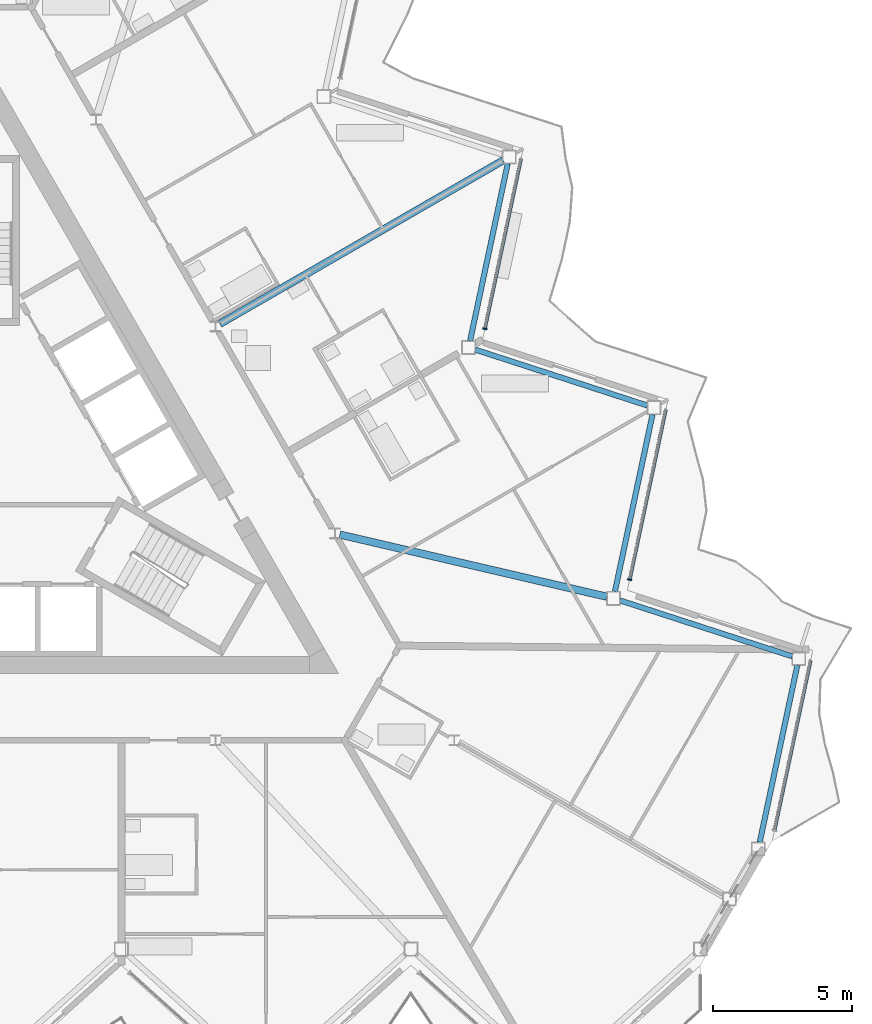
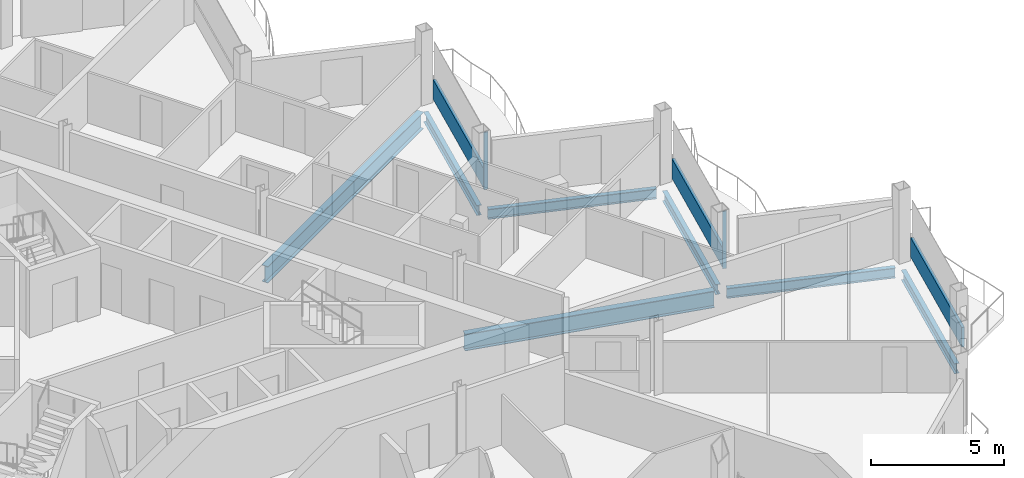
# One storey, part 8 of 26: 7 beams, 5 members, 3 elements without a shape of their own.
"""IFC4 building model written with IfcOpenShell, lengths in metres."""

from ifc_helpers import new_model, si_unit, direction, frame, origin, origin_2d, place, context, subcontext, project, spatial, rectangle, i_section, extrude, material, layer, layer_set, material_profile, profile_set, type_object, element, aggregate, save


model = new_model("IFC4")

# Units and contexts
model_context = context("Model", 3, precision=1e-05, world=origin(), true_north=direction((0.0, 1.0)))
body_context = subcontext(model_context, "Body", "Model", "MODEL_VIEW")
ifc_project = project(units=[si_unit("LENGTHUNIT", "METRE"), si_unit("AREAUNIT", "SQUARE_METRE"), si_unit("VOLUMEUNIT", "CUBIC_METRE"), si_unit("PLANEANGLEUNIT", "RADIAN"), si_unit("MASSUNIT", "GRAM", prefix="KILO")], contexts=[model_context])

# Site, building, storey
site_placement = place(None, origin())
site = spatial("IfcSite", under=ifc_project, at=site_placement, CompositionType="ELEMENT")
building_placement = place(site_placement, origin())
building = spatial("IfcBuilding", under=site, at=building_placement, Name="Cormorant Prow Tower", CompositionType="ELEMENT")
storey_placement = place(building_placement, frame((0.0, 0.0, 378.0)))
storey = spatial("IfcBuildingStorey", under=building, at=storey_placement, Name="L85", CompositionType="ELEMENT", Elevation=378.0)

# Beams
ifc_material_1 = material(Name="Structural steel ASTM A992 Gr 50", Category="steel")
ifc_material_profile_1 = material_profile(ifc_material_1, i_section(OverallWidth=0.267822265625, OverallDepth=0.77001953125, WebThickness=0.015625, FlangeThickness=0.025390625, at=origin_2d()), Name="W30x132")
ifc_profile_set_1 = profile_set([ifc_material_profile_1], Name="Structural steel ASTM A992 Gr 50")
beam_type_1 = type_object("IfcBeamType", Name="Radial floor beam W30x132", PredefinedType="BEAM", material=ifc_profile_set_1)
beam_1_placement = place(storey_placement, frame((13.0498046875, -2.518798828125, -0.68505859375), z_axis=(0.973926084128, -0.226865560752, 0.0), x_axis=(0.226865560752, 0.973926084128, 0.0)))
element("IfcBeam", 1, at=beam_1_placement, inside=storey, type_object=beam_type_1, Name="Radial floor beam FB3 10 L85", PredefinedType="BEAM", context=body_context, shape_type="SweptSolid", body=[
    extrude(i_section(OverallWidth=0.267822265625, OverallDepth=0.77001953125, WebThickness=0.015625, FlangeThickness=0.025390625, at=origin_2d()), origin(), (0.0, 0.0, 1.0), 9.837158203125),
])
beam_2_placement = place(storey_placement, frame((8.740478515625, 5.04638671875, -0.68505859375), z_axis=(0.866026702285, 0.499997750924, 0.0), x_axis=(-0.499997750924, 0.866026702285, 0.0)))
element("IfcBeam", 2, at=beam_2_placement, inside=storey, type_object=beam_type_1, Name="Radial floor beam FB3 11 L85", PredefinedType="BEAM", context=body_context, shape_type="SweptSolid", body=[
    extrude(i_section(OverallWidth=0.267822265625, OverallDepth=0.77001953125, WebThickness=0.015625, FlangeThickness=0.025390625, at=origin_2d()), origin(), (0.0, 0.0, 1.0), 11.7451171875),
])

# Curtain wall, member
ifc_material_2 = material(Name="Aluminium 6063-T6", Category="aluminium")
ifc_layer = layer(ifc_material_2, 0.159912109375)
ifc_layer_set = layer_set([ifc_layer], Name="Aluminium 6063-T6")
curtain_wall_type = type_object("IfcCurtainWallType", Name="Residential unitised curtain wall 160", PredefinedType="NOTDEFINED", material=ifc_layer_set)
curtain_wall_1_placement = place(storey_placement, origin())
curtain_wall_1 = element("IfcCurtainWall", 3, at=curtain_wall_1_placement, inside=storey, type_object=curtain_wall_type, Name="Residential curtain wall ENE02", PredefinedType="NOTDEFINED")
ifc_material_3 = material(Name="Aluminium 6063-T6", Category="aluminium")
ifc_material_profile_2 = material_profile(ifc_material_3, rectangle(XDim=0.159912109375, YDim=0.050048828125, at=origin_2d()), Name="Residential mullion 50x160")
ifc_profile_set_2 = profile_set([ifc_material_profile_2], Name="Aluminium 6063-T6")
member_type_1 = type_object("IfcMemberType", Name="Residential mullion 50x160", PredefinedType="MULLION", material=ifc_profile_set_2)
member_1_placement = place(storey_placement, frame((23.45556640625, -4.1357421875, 0.0), z_axis=(0.0, 0.0, 1.0), x_axis=(-0.978147609588, 0.207911649162, 0.0)))
member_1 = element("IfcMember", 4, at=member_1_placement, type_object=member_type_1, Name="Residential mullion ENE02", PredefinedType="MULLION", context=body_context, shape_type="SweptSolid", body=[
    extrude(rectangle(XDim=0.159912109375, YDim=0.050048828125, at=origin_2d()), origin(), (0.0, 0.0, 1.0), 2.6337890625),
])

curtain_wall_2_placement = place(storey_placement, origin())
curtain_wall_2 = element("IfcCurtainWall", 5, at=curtain_wall_2_placement, inside=storey, type_object=curtain_wall_type, Name="Residential curtain wall ENE04", PredefinedType="NOTDEFINED")
member_2_placement = place(storey_placement, frame((18.25537109375, 4.870849609375, 0.0), z_axis=(0.0, 0.0, 1.0), x_axis=(-0.978147615768, 0.207911620089, 0.0)))
member_2 = element("IfcMember", 6, at=member_2_placement, type_object=member_type_1, Name="Residential mullion ENE04", PredefinedType="MULLION", context=body_context, shape_type="SweptSolid", body=[
    extrude(rectangle(XDim=0.159912109375, YDim=0.050048828125, at=origin_2d()), origin(), (0.0, 0.0, 1.0), 2.6337890625),
])

curtain_wall_3_placement = place(storey_placement, origin())
curtain_wall_3 = element("IfcCurtainWall", 7, at=curtain_wall_3_placement, inside=storey, type_object=curtain_wall_type, Name="Residential curtain wall ENE00", PredefinedType="NOTDEFINED")
ifc_material_4 = material(Name="Terracotta", Category="masonry")
ifc_material_profile_3 = material_profile(ifc_material_4, rectangle(XDim=0.1201171875, YDim=0.89990234375, at=origin_2d()), Name="Residential terracotta spandrel rail 120x900")
ifc_profile_set_3 = profile_set([ifc_material_profile_3], Name="Terracotta")
member_type_2 = type_object("IfcMemberType", Name="Residential terracotta spandrel rail 120x900", PredefinedType="USERDEFINED", material=ifc_profile_set_3)
member_3_placement = place(storey_placement, frame((28.66064453125, -13.117919921875, 0.449951171875), z_axis=(0.207916541247, 0.978146569731, 0.0), x_axis=(-0.978146569731, 0.207916541247, 0.0)))
member_3 = element("IfcMember", 8, at=member_3_placement, type_object=member_type_2, Name="Residential spandrel rail ENE00", ObjectType="TRANSOM", PredefinedType="USERDEFINED", context=body_context, shape_type="SweptSolid", body=[
    extrude(rectangle(XDim=0.1201171875, YDim=0.89990234375, at=origin_2d()), origin(), (0.0, 0.0, 1.0), 6.215087890625),
])
aggregate(curtain_wall_3, [member_3])

# Member
member_4_placement = place(storey_placement, frame((23.460693359375, -4.111328125, 0.449951171875), z_axis=(0.207916541247, 0.978146569731, 0.0), x_axis=(-0.978146569731, 0.207916541247, 0.0)))
member_4 = element("IfcMember", 9, at=member_4_placement, type_object=member_type_2, Name="Residential spandrel rail ENE02", ObjectType="TRANSOM", PredefinedType="USERDEFINED", context=body_context, shape_type="SweptSolid", body=[
    extrude(rectangle(XDim=0.1201171875, YDim=0.89990234375, at=origin_2d()), origin(), (0.0, 0.0, 1.0), 6.215087890625),
])

aggregate(curtain_wall_1, [member_1, member_4])

member_5_placement = place(storey_placement, frame((18.2607421875, 4.895263671875, 0.449951171875), z_axis=(0.207908552773, 0.978148267741, 0.0), x_axis=(-0.978148267741, 0.207908552773, 0.0)))
member_5 = element("IfcMember", 10, at=member_5_placement, type_object=member_type_2, Name="Residential spandrel rail ENE04", ObjectType="TRANSOM", PredefinedType="USERDEFINED", context=body_context, shape_type="SweptSolid", body=[
    extrude(rectangle(XDim=0.1201171875, YDim=0.89990234375, at=origin_2d()), origin(), (0.0, 0.0, 1.0), 6.21533203125),
])

aggregate(curtain_wall_2, [member_2, member_5])

# Beams
ifc_material_5 = material(Name="Structural steel ASTM A992 Gr 50", Category="steel")
ifc_material_profile_4 = material_profile(ifc_material_5, i_section(OverallWidth=0.19287109375, OverallDepth=0.466064453125, WebThickness=0.011474609375, FlangeThickness=0.01904296875, at=origin_2d()), Name="W18x65")
ifc_profile_set_4 = profile_set([ifc_material_profile_4], Name="Structural steel ASTM A992 Gr 50")
beam_type_2 = type_object("IfcBeamType", Name="Spandrel beam W18x65", PredefinedType="SPANDREL", material=ifc_profile_set_4)
beam_3_placement = place(storey_placement, frame((28.125732421875, -13.5693359375, -0.532958984375), z_axis=(0.207901897373, 0.978149682344, 0.0), x_axis=(-0.978149682344, 0.207901897373, 0.0)))
element("IfcBeam", 11, at=beam_3_placement, inside=storey, type_object=beam_type_2, Name="Spandrel beam SB4 ENE00-ENE01 L85", PredefinedType="SPANDREL", context=body_context, shape_type="SweptSolid", body=[
    extrude(i_section(OverallWidth=0.19287109375, OverallDepth=0.466064453125, WebThickness=0.011474609375, FlangeThickness=0.01904296875, at=origin_2d()), origin(), (0.0, 0.0, 1.0), 6.49755859375),
])
for number, where, z_axis, x_axis, name in (
    (12, (29.290771484375, -6.89208984375, -0.532958984375), (-0.951053396625, 0.309026595569, 0.0), (-0.309026595569, -0.951053396625, 0.0), "Spandrel beam SB4 ENE01-ENE02 L85"),
    (13, (22.92578125, -4.5625, -0.532958984375), (0.207909538847, 0.978148058147, 0.0), (-0.978148058147, 0.207909538847, 0.0), "Spandrel beam SB4 ENE02-ENE03 L85"),
    (14, (24.0908203125, 2.114501953125, -0.532958984375), (-0.951053396625, 0.309026595569, 0.0), (-0.309026595569, -0.951053396625, 0.0), "Spandrel beam SB4 ENE03-ENE04 L85"),
    (15, (17.725830078125, 4.444091796875, -0.532958984375), (0.207909538847, 0.978148058147, 0.0), (-0.978148058147, 0.207909538847, 0.0), "Spandrel beam SB4 ENE04-ENE05 L85"),
):
    element("IfcBeam", number, at=place(storey_placement, frame(where, z_axis=z_axis, x_axis=x_axis)), inside=storey, type_object=beam_type_2, Name=name, PredefinedType="SPANDREL", context=body_context, shape_type="SweptSolid", body=[
        extrude(i_section(OverallWidth=0.19287109375, OverallDepth=0.466064453125, WebThickness=0.011474609375, FlangeThickness=0.01904296875, at=origin_2d()), origin(), (0.0, 0.0, 1.0), 6.497314453125),
    ])

save(model, "model.ifc")
